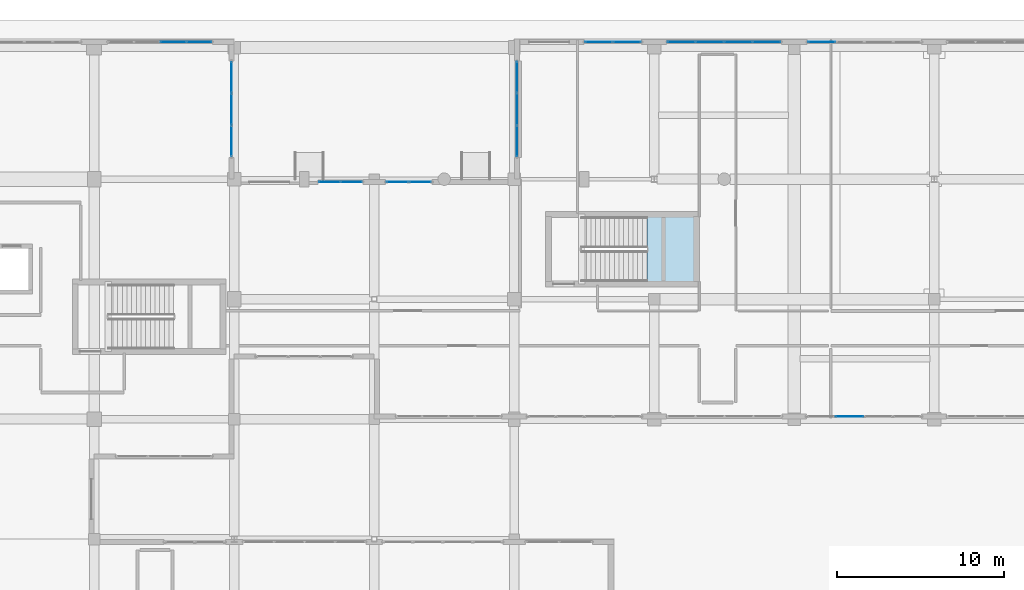
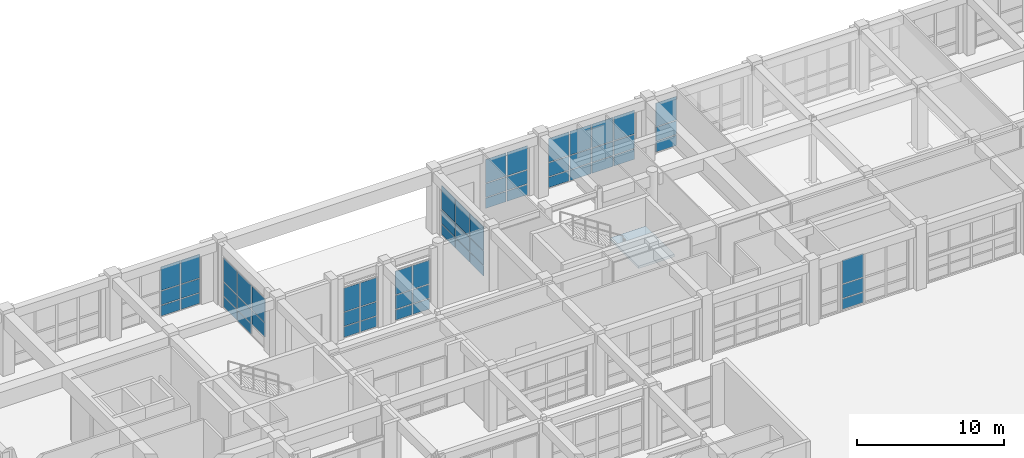
# One storey, part 121 of 148: 59 plates, 1 slab, 10 elements without a shape of their own.
"""IFC4 building model written with IfcOpenShell, lengths in metres."""

from ifc_helpers import new_model, si_unit, direction, frame, origin, origin_2d, place, context, subcontext, project, spatial, polyline, rectangle, outline, extrude, material, layer, layer_set, type_object, element, aggregate, save


model = new_model("IFC4")

# Units and contexts
model_context = context("Model", 3, precision=1e-05, world=origin(), true_north=direction((0.0, 1.0)))
body_context = subcontext(model_context, "Body", "Model", "MODEL_VIEW")
ifc_project = project(units=[si_unit("LENGTHUNIT", "METRE"), si_unit("AREAUNIT", "SQUARE_METRE"), si_unit("VOLUMEUNIT", "CUBIC_METRE"), si_unit("PLANEANGLEUNIT", "RADIAN"), si_unit("MASSUNIT", "GRAM", prefix="KILO")], contexts=[model_context])

# Site, building, storey
site_placement = place(None, origin())
site = spatial("IfcSite", under=ifc_project, at=site_placement, CompositionType="ELEMENT")
building_placement = place(site_placement, origin())
building = spatial("IfcBuilding", under=site, at=building_placement, Name="Quendrovan Civic Courthouse", CompositionType="ELEMENT")
storey_placement = place(building_placement, origin())
storey = spatial("IfcBuildingStorey", under=building, at=storey_placement, Name="L01", CompositionType="ELEMENT", Elevation=0.0)

# Curtain wall, plates
ifc_material_1 = material(Name="Bronze anodised aluminium and low-E glass", Category="aluminium")
ifc_layer_1 = layer(ifc_material_1, 0.179931640625, Name="Bronze anodised aluminium and low-E glass")
ifc_layer_set_1 = layer_set([ifc_layer_1], Name="Bronze anodised aluminium and low-E glass")
curtain_wall_type_1 = type_object("IfcCurtainWallType", Name="CW-U58x42", PredefinedType="USERDEFINED", material=ifc_layer_set_1)
curtain_wall_1_placement = place(storey_placement, origin())
curtain_wall_1 = element("IfcCurtainWall", 1, at=curtain_wall_1_placement, inside=storey, type_object=curtain_wall_type_1, Name="L01 Unitised Hurricane Curtain Wall CW-032", ObjectType="UNITISED CURTAIN WALL", PredefinedType="USERDEFINED")
ifc_material_2 = material(Name="Laminated hurricane-impact low-E glass", Category="glass")
ifc_layer_2 = layer(ifc_material_2, 0.028076171875, Name="Laminated hurricane-impact low-E glass")
ifc_layer_set_2 = layer_set([ifc_layer_2], Name="Laminated hurricane-impact low-E glass")
plate_type_1 = type_object("IfcPlateType", Name="CW-PNL-1", PredefinedType="CURTAIN_PANEL", material=ifc_layer_set_2)
plate_1_placement = place(storey_placement, frame((92.235107421875, 108.11572265625, 0.06982421875), z_axis=(0.0, 0.0, 1.0), x_axis=(0.0, -1.0, 0.0)))
plate_1 = element("IfcPlate", 2, at=plate_1_placement, type_object=plate_type_1, Name="CW-032 panel 1.1", PredefinedType="CURTAIN_PANEL", context=body_context, shape_type="SweptSolid", body=[
    extrude(rectangle(XDim=1.828369140625, YDim=0.028076171875, at=origin_2d()), origin(), (0.0, 0.0, 1.0), 0.844970703125),
])
plate_2_placement = place(storey_placement, frame((92.235107421875, 108.11572265625, 0.985107421875), z_axis=(0.0, 0.0, 1.0), x_axis=(0.0, -1.0, 0.0)))
plate_2 = element("IfcPlate", 3, at=plate_2_placement, type_object=plate_type_1, Name="CW-032 panel 1.2", PredefinedType="CURTAIN_PANEL", context=body_context, shape_type="SweptSolid", body=[
    extrude(rectangle(XDim=1.828369140625, YDim=0.028076171875, at=origin_2d()), origin(), (0.0, 0.0, 1.0), 1.1298828125),
])
plate_3_placement = place(storey_placement, frame((92.235107421875, 108.11572265625, 2.18505859375), z_axis=(0.0, 0.0, 1.0), x_axis=(0.0, -1.0, 0.0)))
plate_3 = element("IfcPlate", 4, at=plate_3_placement, type_object=plate_type_1, Name="CW-032 panel 1.3", PredefinedType="CURTAIN_PANEL", context=body_context, shape_type="SweptSolid", body=[
    extrude(rectangle(XDim=1.828369140625, YDim=0.028076171875, at=origin_2d()), origin(), (0.0, 0.0, 1.0), 1.945068359375),
])
plate_4_placement = place(storey_placement, frame((92.235107421875, 106.199951171875, 0.06982421875), z_axis=(0.0, 0.0, 1.0), x_axis=(0.0, -1.0, 0.0)))
plate_4 = element("IfcPlate", 5, at=plate_4_placement, type_object=plate_type_1, Name="CW-032 panel 2.1", PredefinedType="CURTAIN_PANEL", context=body_context, shape_type="SweptSolid", body=[
    extrude(rectangle(XDim=1.86328125, YDim=0.028076171875, at=origin_2d()), origin(), (0.0, 0.0, 1.0), 0.844970703125),
])
plate_5_placement = place(storey_placement, frame((92.235107421875, 106.199951171875, 0.985107421875), z_axis=(0.0, 0.0, 1.0), x_axis=(0.0, -1.0, 0.0)))
plate_5 = element("IfcPlate", 6, at=plate_5_placement, type_object=plate_type_1, Name="CW-032 panel 2.2", PredefinedType="CURTAIN_PANEL", context=body_context, shape_type="SweptSolid", body=[
    extrude(rectangle(XDim=1.86328125, YDim=0.028076171875, at=origin_2d()), origin(), (0.0, 0.0, 1.0), 1.1298828125),
])
plate_6_placement = place(storey_placement, frame((92.235107421875, 106.199951171875, 2.18505859375), z_axis=(0.0, 0.0, 1.0), x_axis=(0.0, -1.0, 0.0)))
plate_6 = element("IfcPlate", 7, at=plate_6_placement, type_object=plate_type_1, Name="CW-032 panel 2.3", PredefinedType="CURTAIN_PANEL", context=body_context, shape_type="SweptSolid", body=[
    extrude(rectangle(XDim=1.86328125, YDim=0.028076171875, at=origin_2d()), origin(), (0.0, 0.0, 1.0), 1.945068359375),
])
plate_7_placement = place(storey_placement, frame((92.235107421875, 104.2841796875, 0.985107421875), z_axis=(0.0, 0.0, 1.0), x_axis=(0.0, -1.0, 0.0)))
plate_7 = element("IfcPlate", 8, at=plate_7_placement, type_object=plate_type_1, Name="CW-032 panel 3.2", PredefinedType="CURTAIN_PANEL", context=body_context, shape_type="SweptSolid", body=[
    extrude(rectangle(XDim=1.828369140625, YDim=0.028076171875, at=origin_2d()), origin(), (0.0, 0.0, 1.0), 1.1298828125),
])
plate_8_placement = place(storey_placement, frame((92.235107421875, 104.2841796875, 2.18505859375), z_axis=(0.0, 0.0, 1.0), x_axis=(0.0, -1.0, 0.0)))
plate_8 = element("IfcPlate", 9, at=plate_8_placement, type_object=plate_type_1, Name="CW-032 panel 3.3", PredefinedType="CURTAIN_PANEL", context=body_context, shape_type="SweptSolid", body=[
    extrude(rectangle(XDim=1.828369140625, YDim=0.028076171875, at=origin_2d()), origin(), (0.0, 0.0, 1.0), 1.945068359375),
])
aggregate(curtain_wall_1, [plate_1, plate_2, plate_3, plate_4, plate_5, plate_6, plate_7, plate_8])

ifc_layer_3 = layer(ifc_material_1, 0.179931640625, Name="Bronze anodised aluminium and low-E glass")
ifc_layer_set_3 = layer_set([ifc_layer_3], Name="Bronze anodised aluminium and low-E glass")
curtain_wall_type_2 = type_object("IfcCurtainWallType", Name="CW-U34x42", PredefinedType="USERDEFINED", material=ifc_layer_set_3)
curtain_wall_2_placement = place(storey_placement, origin())
curtain_wall_2 = element("IfcCurtainWall", 10, at=curtain_wall_2_placement, inside=storey, type_object=curtain_wall_type_2, Name="L01 Unitised Hurricane Curtain Wall CW-036", ObjectType="UNITISED CURTAIN WALL", PredefinedType="USERDEFINED")
plate_9_placement = place(storey_placement, frame((114.280029296875, 110.235107421875, 0.06982421875), z_axis=(0.0, 0.0, 1.0), x_axis=(1.0, 0.0, 0.0)))
plate_9 = element("IfcPlate", 11, at=plate_9_placement, type_object=plate_type_1, Name="CW-036 panel 1.1", PredefinedType="CURTAIN_PANEL", context=body_context, shape_type="SweptSolid", body=[
    extrude(rectangle(XDim=1.6201171875, YDim=0.028076171875, at=origin_2d()), origin(), (0.0, 0.0, 1.0), 0.844970703125),
])
plate_10_placement = place(storey_placement, frame((114.280029296875, 110.235107421875, 0.985107421875), z_axis=(0.0, 0.0, 1.0), x_axis=(1.0, 0.0, 0.0)))
plate_10 = element("IfcPlate", 12, at=plate_10_placement, type_object=plate_type_1, Name="CW-036 panel 1.2", PredefinedType="CURTAIN_PANEL", context=body_context, shape_type="SweptSolid", body=[
    extrude(rectangle(XDim=1.6201171875, YDim=0.028076171875, at=origin_2d()), origin(), (0.0, 0.0, 1.0), 1.1298828125),
])
plate_11_placement = place(storey_placement, frame((114.280029296875, 110.235107421875, 2.18505859375), z_axis=(0.0, 0.0, 1.0), x_axis=(1.0, 0.0, 0.0)))
plate_11 = element("IfcPlate", 13, at=plate_11_placement, type_object=plate_type_1, Name="CW-036 panel 1.3", PredefinedType="CURTAIN_PANEL", context=body_context, shape_type="SweptSolid", body=[
    extrude(rectangle(XDim=1.6201171875, YDim=0.028076171875, at=origin_2d()), origin(), (0.0, 0.0, 1.0), 1.945068359375),
])
plate_12_placement = place(storey_placement, frame((115.969970703125, 110.235107421875, 0.06982421875), z_axis=(0.0, 0.0, 1.0), x_axis=(1.0, 0.0, 0.0)))
plate_12 = element("IfcPlate", 14, at=plate_12_placement, type_object=plate_type_1, Name="CW-036 panel 2.1", PredefinedType="CURTAIN_PANEL", context=body_context, shape_type="SweptSolid", body=[
    extrude(rectangle(XDim=1.6201171875, YDim=0.028076171875, at=origin_2d()), origin(), (0.0, 0.0, 1.0), 0.844970703125),
])
plate_13_placement = place(storey_placement, frame((115.969970703125, 110.235107421875, 0.985107421875), z_axis=(0.0, 0.0, 1.0), x_axis=(1.0, 0.0, 0.0)))
plate_13 = element("IfcPlate", 15, at=plate_13_placement, type_object=plate_type_1, Name="CW-036 panel 2.2", PredefinedType="CURTAIN_PANEL", context=body_context, shape_type="SweptSolid", body=[
    extrude(rectangle(XDim=1.6201171875, YDim=0.028076171875, at=origin_2d()), origin(), (0.0, 0.0, 1.0), 1.1298828125),
])
plate_14_placement = place(storey_placement, frame((115.969970703125, 110.235107421875, 2.18505859375), z_axis=(0.0, 0.0, 1.0), x_axis=(1.0, 0.0, 0.0)))
plate_14 = element("IfcPlate", 16, at=plate_14_placement, type_object=plate_type_1, Name="CW-036 panel 2.3", PredefinedType="CURTAIN_PANEL", context=body_context, shape_type="SweptSolid", body=[
    extrude(rectangle(XDim=1.6201171875, YDim=0.028076171875, at=origin_2d()), origin(), (0.0, 0.0, 1.0), 1.945068359375),
])
aggregate(curtain_wall_2, [plate_9, plate_10, plate_11, plate_12, plate_13, plate_14])

ifc_layer_4 = layer(ifc_material_1, 0.179931640625, Name="Bronze anodised aluminium and low-E glass")
ifc_layer_set_4 = layer_set([ifc_layer_4], Name="Bronze anodised aluminium and low-E glass")
curtain_wall_type_3 = type_object("IfcCurtainWallType", Name="CW-U27x42", PredefinedType="USERDEFINED", material=ifc_layer_set_4)
curtain_wall_3_placement = place(storey_placement, origin())
curtain_wall_3 = element("IfcCurtainWall", 17, at=curtain_wall_3_placement, inside=storey, type_object=curtain_wall_type_3, Name="L01 Unitised Hurricane Curtain Wall CW-033", ObjectType="UNITISED CURTAIN WALL", PredefinedType="USERDEFINED")
ifc_layer_5 = layer(ifc_material_2, 0.031982421875, Name="Laminated hurricane-impact low-E glass")
ifc_layer_set_5 = layer_set([ifc_layer_5], Name="Laminated hurricane-impact low-E glass")
plate_type_2 = type_object("IfcPlateType", Name="CW-PNL-2", PredefinedType="CURTAIN_PANEL", material=ifc_layer_set_5)
plate_15_placement = place(storey_placement, frame((98.1162109375, 101.8349609375, 0.06494140625), z_axis=(0.0, 0.0, 1.0), x_axis=(1.0, 0.0, 0.0)))
plate_15 = element("IfcPlate", 18, at=plate_15_placement, type_object=plate_type_2, Name="CW-033 panel 1.1", PredefinedType="CURTAIN_PANEL", context=body_context, shape_type="SweptSolid", body=[
    extrude(rectangle(XDim=1.25244140625, YDim=0.031982421875, at=origin_2d()), origin(), (0.0, 0.0, 1.0), 0.8525390625),
])
plate_16_placement = place(storey_placement, frame((98.1162109375, 101.8349609375, 0.982421875), z_axis=(0.0, 0.0, 1.0), x_axis=(1.0, 0.0, 0.0)))
plate_16 = element("IfcPlate", 19, at=plate_16_placement, type_object=plate_type_2, Name="CW-033 panel 1.2", PredefinedType="CURTAIN_PANEL", context=body_context, shape_type="SweptSolid", body=[
    extrude(rectangle(XDim=1.25244140625, YDim=0.031982421875, at=origin_2d()), origin(), (0.0, 0.0, 1.0), 1.135009765625),
])
plate_17_placement = place(storey_placement, frame((98.1162109375, 101.8349609375, 2.1826171875), z_axis=(0.0, 0.0, 1.0), x_axis=(1.0, 0.0, 0.0)))
plate_17 = element("IfcPlate", 20, at=plate_17_placement, type_object=plate_type_2, Name="CW-033 panel 1.3", PredefinedType="CURTAIN_PANEL", context=body_context, shape_type="SweptSolid", body=[
    extrude(rectangle(XDim=1.25244140625, YDim=0.031982421875, at=origin_2d()), origin(), (0.0, 0.0, 1.0), 1.952392578125),
])
plate_18_placement = place(storey_placement, frame((99.433837890625, 101.8349609375, 0.06494140625), z_axis=(0.0, 0.0, 1.0), x_axis=(1.0, 0.0, 0.0)))
plate_18 = element("IfcPlate", 21, at=plate_18_placement, type_object=plate_type_2, Name="CW-033 panel 2.1", PredefinedType="CURTAIN_PANEL", context=body_context, shape_type="SweptSolid", body=[
    extrude(rectangle(XDim=1.25244140625, YDim=0.031982421875, at=origin_2d()), origin(), (0.0, 0.0, 1.0), 0.8525390625),
])
plate_19_placement = place(storey_placement, frame((99.433837890625, 101.8349609375, 0.982421875), z_axis=(0.0, 0.0, 1.0), x_axis=(1.0, 0.0, 0.0)))
plate_19 = element("IfcPlate", 22, at=plate_19_placement, type_object=plate_type_2, Name="CW-033 panel 2.2", PredefinedType="CURTAIN_PANEL", context=body_context, shape_type="SweptSolid", body=[
    extrude(rectangle(XDim=1.25244140625, YDim=0.031982421875, at=origin_2d()), origin(), (0.0, 0.0, 1.0), 1.135009765625),
])
plate_20_placement = place(storey_placement, frame((99.433837890625, 101.8349609375, 2.1826171875), z_axis=(0.0, 0.0, 1.0), x_axis=(1.0, 0.0, 0.0)))
plate_20 = element("IfcPlate", 23, at=plate_20_placement, type_object=plate_type_2, Name="CW-033 panel 2.3", PredefinedType="CURTAIN_PANEL", context=body_context, shape_type="SweptSolid", body=[
    extrude(rectangle(XDim=1.25244140625, YDim=0.031982421875, at=origin_2d()), origin(), (0.0, 0.0, 1.0), 1.952392578125),
])
aggregate(curtain_wall_3, [plate_15, plate_16, plate_17, plate_18, plate_19, plate_20])

ifc_layer_6 = layer(ifc_material_1, 0.179931640625, Name="Bronze anodised aluminium and low-E glass")
ifc_layer_set_6 = layer_set([ifc_layer_6], Name="Bronze anodised aluminium and low-E glass")
curtain_wall_type_4 = type_object("IfcCurtainWallType", Name="CW-U69x42", PredefinedType="USERDEFINED", material=ifc_layer_set_6)
curtain_wall_4_placement = place(storey_placement, origin())
curtain_wall_4 = element("IfcCurtainWall", 24, at=curtain_wall_4_placement, inside=storey, type_object=curtain_wall_type_4, Name="L01 Unitised Hurricane Curtain Wall CW-037", ObjectType="UNITISED CURTAIN WALL", PredefinedType="USERDEFINED")
plate_21_placement = place(storey_placement, frame((119.2255859375, 110.235107421875, 0.06494140625), z_axis=(0.0, 0.0, 1.0), x_axis=(1.0, 0.0, 0.0)))
plate_21 = element("IfcPlate", 25, at=plate_21_placement, type_object=plate_type_2, Name="CW-037 panel 1.1", PredefinedType="CURTAIN_PANEL", context=body_context, shape_type="SweptSolid", body=[
    extrude(rectangle(XDim=1.621337890625, YDim=0.031982421875, at=origin_2d()), origin(), (0.0, 0.0, 1.0), 0.8525390625),
])
plate_22_placement = place(storey_placement, frame((119.2255859375, 110.235107421875, 0.982421875), z_axis=(0.0, 0.0, 1.0), x_axis=(1.0, 0.0, 0.0)))
plate_22 = element("IfcPlate", 26, at=plate_22_placement, type_object=plate_type_2, Name="CW-037 panel 1.2", PredefinedType="CURTAIN_PANEL", context=body_context, shape_type="SweptSolid", body=[
    extrude(rectangle(XDim=1.621337890625, YDim=0.031982421875, at=origin_2d()), origin(), (0.0, 0.0, 1.0), 1.135009765625),
])
plate_23_placement = place(storey_placement, frame((119.2255859375, 110.235107421875, 2.1826171875), z_axis=(0.0, 0.0, 1.0), x_axis=(1.0, 0.0, 0.0)))
plate_23 = element("IfcPlate", 27, at=plate_23_placement, type_object=plate_type_2, Name="CW-037 panel 1.3", PredefinedType="CURTAIN_PANEL", context=body_context, shape_type="SweptSolid", body=[
    extrude(rectangle(XDim=1.621337890625, YDim=0.031982421875, at=origin_2d()), origin(), (0.0, 0.0, 1.0), 1.952392578125),
])
plate_24_placement = place(storey_placement, frame((120.92822265625, 110.235107421875, 0.06494140625), z_axis=(0.0, 0.0, 1.0), x_axis=(1.0, 0.0, 0.0)))
plate_24 = element("IfcPlate", 28, at=plate_24_placement, type_object=plate_type_2, Name="CW-037 panel 2.1", PredefinedType="CURTAIN_PANEL", context=body_context, shape_type="SweptSolid", body=[
    extrude(rectangle(XDim=1.65380859375, YDim=0.031982421875, at=origin_2d()), origin(), (0.0, 0.0, 1.0), 0.8525390625),
])
plate_25_placement = place(storey_placement, frame((120.92822265625, 110.235107421875, 0.982421875), z_axis=(0.0, 0.0, 1.0), x_axis=(1.0, 0.0, 0.0)))
plate_25 = element("IfcPlate", 29, at=plate_25_placement, type_object=plate_type_2, Name="CW-037 panel 2.2", PredefinedType="CURTAIN_PANEL", context=body_context, shape_type="SweptSolid", body=[
    extrude(rectangle(XDim=1.65380859375, YDim=0.031982421875, at=origin_2d()), origin(), (0.0, 0.0, 1.0), 1.135009765625),
])
plate_26_placement = place(storey_placement, frame((120.92822265625, 110.235107421875, 2.1826171875), z_axis=(0.0, 0.0, 1.0), x_axis=(1.0, 0.0, 0.0)))
plate_26 = element("IfcPlate", 30, at=plate_26_placement, type_object=plate_type_2, Name="CW-037 panel 2.3", PredefinedType="CURTAIN_PANEL", context=body_context, shape_type="SweptSolid", body=[
    extrude(rectangle(XDim=1.65380859375, YDim=0.031982421875, at=origin_2d()), origin(), (0.0, 0.0, 1.0), 1.952392578125),
])
plate_27_placement = place(storey_placement, frame((122.64697265625, 110.235107421875, 0.06494140625), z_axis=(0.0, 0.0, 1.0), x_axis=(1.0, 0.0, 0.0)))
plate_27 = element("IfcPlate", 31, at=plate_27_placement, type_object=plate_type_2, Name="CW-037 panel 3.1", PredefinedType="CURTAIN_PANEL", context=body_context, shape_type="SweptSolid", body=[
    extrude(rectangle(XDim=1.65380859375, YDim=0.031982421875, at=origin_2d()), origin(), (0.0, 0.0, 1.0), 0.8525390625),
])
plate_28_placement = place(storey_placement, frame((122.64697265625, 110.235107421875, 0.982421875), z_axis=(0.0, 0.0, 1.0), x_axis=(1.0, 0.0, 0.0)))
plate_28 = element("IfcPlate", 32, at=plate_28_placement, type_object=plate_type_2, Name="CW-037 panel 3.2", PredefinedType="CURTAIN_PANEL", context=body_context, shape_type="SweptSolid", body=[
    extrude(rectangle(XDim=1.65380859375, YDim=0.031982421875, at=origin_2d()), origin(), (0.0, 0.0, 1.0), 1.135009765625),
])
plate_29_placement = place(storey_placement, frame((122.64697265625, 110.235107421875, 2.1826171875), z_axis=(0.0, 0.0, 1.0), x_axis=(1.0, 0.0, 0.0)))
plate_29 = element("IfcPlate", 33, at=plate_29_placement, type_object=plate_type_2, Name="CW-037 panel 3.3", PredefinedType="CURTAIN_PANEL", context=body_context, shape_type="SweptSolid", body=[
    extrude(rectangle(XDim=1.65380859375, YDim=0.031982421875, at=origin_2d()), origin(), (0.0, 0.0, 1.0), 1.952392578125),
])
plate_30_placement = place(storey_placement, frame((124.349365234375, 110.235107421875, 0.06494140625), z_axis=(0.0, 0.0, 1.0), x_axis=(1.0, 0.0, 0.0)))
plate_30 = element("IfcPlate", 34, at=plate_30_placement, type_object=plate_type_2, Name="CW-037 panel 4.1", PredefinedType="CURTAIN_PANEL", context=body_context, shape_type="SweptSolid", body=[
    extrude(rectangle(XDim=1.621337890625, YDim=0.031982421875, at=origin_2d()), origin(), (0.0, 0.0, 1.0), 0.8525390625),
])
plate_31_placement = place(storey_placement, frame((124.349365234375, 110.235107421875, 0.982421875), z_axis=(0.0, 0.0, 1.0), x_axis=(1.0, 0.0, 0.0)))
plate_31 = element("IfcPlate", 35, at=plate_31_placement, type_object=plate_type_2, Name="CW-037 panel 4.2", PredefinedType="CURTAIN_PANEL", context=body_context, shape_type="SweptSolid", body=[
    extrude(rectangle(XDim=1.621337890625, YDim=0.031982421875, at=origin_2d()), origin(), (0.0, 0.0, 1.0), 1.135009765625),
])
plate_32_placement = place(storey_placement, frame((124.349365234375, 110.235107421875, 2.1826171875), z_axis=(0.0, 0.0, 1.0), x_axis=(1.0, 0.0, 0.0)))
plate_32 = element("IfcPlate", 36, at=plate_32_placement, type_object=plate_type_2, Name="CW-037 panel 4.3", PredefinedType="CURTAIN_PANEL", context=body_context, shape_type="SweptSolid", body=[
    extrude(rectangle(XDim=1.621337890625, YDim=0.031982421875, at=origin_2d()), origin(), (0.0, 0.0, 1.0), 1.952392578125),
])
aggregate(curtain_wall_4, [plate_21, plate_22, plate_23, plate_24, plate_25, plate_26, plate_27, plate_28, plate_29, plate_30, plate_31, plate_32])

ifc_layer_7 = layer(ifc_material_1, 0.179931640625, Name="Bronze anodised aluminium and low-E glass")
ifc_layer_set_7 = layer_set([ifc_layer_7], Name="Bronze anodised aluminium and low-E glass")
curtain_wall_type_5 = type_object("IfcCurtainWallType", Name="CW-U28x42", PredefinedType="USERDEFINED", material=ifc_layer_set_7)
curtain_wall_5_placement = place(storey_placement, origin())
curtain_wall_5 = element("IfcCurtainWall", 37, at=curtain_wall_5_placement, inside=storey, type_object=curtain_wall_type_5, Name="L01 Unitised Hurricane Curtain Wall CW-034", ObjectType="UNITISED CURTAIN WALL", PredefinedType="USERDEFINED")
ifc_layer_8 = layer(ifc_material_2, 0.035888671875, Name="Laminated hurricane-impact low-E glass")
ifc_layer_set_8 = layer_set([ifc_layer_8], Name="Laminated hurricane-impact low-E glass")
plate_type_3 = type_object("IfcPlateType", Name="CW-PNL-3", PredefinedType="CURTAIN_PANEL", material=ifc_layer_set_8)
plate_33_placement = place(storey_placement, frame((102.1923828125, 101.8349609375, 0.06982421875), z_axis=(0.0, 0.0, 1.0), x_axis=(1.0, 0.0, 0.0)))
plate_33 = element("IfcPlate", 38, at=plate_33_placement, type_object=plate_type_3, Name="CW-034 panel 1.1", PredefinedType="CURTAIN_PANEL", context=body_context, shape_type="SweptSolid", body=[
    extrude(rectangle(XDim=1.294921875, YDim=0.035888671875, at=origin_2d()), origin(), (0.0, 0.0, 1.0), 0.844970703125),
])
plate_34_placement = place(storey_placement, frame((102.1923828125, 101.8349609375, 0.985107421875), z_axis=(0.0, 0.0, 1.0), x_axis=(1.0, 0.0, 0.0)))
plate_34 = element("IfcPlate", 39, at=plate_34_placement, type_object=plate_type_3, Name="CW-034 panel 1.2", PredefinedType="CURTAIN_PANEL", context=body_context, shape_type="SweptSolid", body=[
    extrude(rectangle(XDim=1.294921875, YDim=0.035888671875, at=origin_2d()), origin(), (0.0, 0.0, 1.0), 1.1298828125),
])
plate_35_placement = place(storey_placement, frame((102.1923828125, 101.8349609375, 2.18505859375), z_axis=(0.0, 0.0, 1.0), x_axis=(1.0, 0.0, 0.0)))
plate_35 = element("IfcPlate", 40, at=plate_35_placement, type_object=plate_type_3, Name="CW-034 panel 1.3", PredefinedType="CURTAIN_PANEL", context=body_context, shape_type="SweptSolid", body=[
    extrude(rectangle(XDim=1.294921875, YDim=0.035888671875, at=origin_2d()), origin(), (0.0, 0.0, 1.0), 1.945068359375),
])
plate_36_placement = place(storey_placement, frame((103.5576171875, 101.8349609375, 0.06982421875), z_axis=(0.0, 0.0, 1.0), x_axis=(1.0, 0.0, 0.0)))
plate_36 = element("IfcPlate", 41, at=plate_36_placement, type_object=plate_type_3, Name="CW-034 panel 2.1", PredefinedType="CURTAIN_PANEL", context=body_context, shape_type="SweptSolid", body=[
    extrude(rectangle(XDim=1.294921875, YDim=0.035888671875, at=origin_2d()), origin(), (0.0, 0.0, 1.0), 0.844970703125),
])
plate_37_placement = place(storey_placement, frame((103.5576171875, 101.8349609375, 0.985107421875), z_axis=(0.0, 0.0, 1.0), x_axis=(1.0, 0.0, 0.0)))
plate_37 = element("IfcPlate", 42, at=plate_37_placement, type_object=plate_type_3, Name="CW-034 panel 2.2", PredefinedType="CURTAIN_PANEL", context=body_context, shape_type="SweptSolid", body=[
    extrude(rectangle(XDim=1.294921875, YDim=0.035888671875, at=origin_2d()), origin(), (0.0, 0.0, 1.0), 1.1298828125),
])
plate_38_placement = place(storey_placement, frame((103.5576171875, 101.8349609375, 2.18505859375), z_axis=(0.0, 0.0, 1.0), x_axis=(1.0, 0.0, 0.0)))
plate_38 = element("IfcPlate", 43, at=plate_38_placement, type_object=plate_type_3, Name="CW-034 panel 2.3", PredefinedType="CURTAIN_PANEL", context=body_context, shape_type="SweptSolid", body=[
    extrude(rectangle(XDim=1.294921875, YDim=0.035888671875, at=origin_2d()), origin(), (0.0, 0.0, 1.0), 1.945068359375),
])
aggregate(curtain_wall_5, [plate_33, plate_34, plate_35, plate_36, plate_37, plate_38])

curtain_wall_6_placement = place(storey_placement, origin())
curtain_wall_6 = element("IfcCurtainWall", 44, at=curtain_wall_6_placement, inside=storey, type_object=curtain_wall_type_4, Name="L01 Unitised Hurricane Curtain Wall CW-038", ObjectType="UNITISED CURTAIN WALL", PredefinedType="USERDEFINED")
plate_39_placement = place(storey_placement, frame((127.65185546875, 110.235107421875, 0.06982421875), z_axis=(0.0, 0.0, 1.0), x_axis=(1.0, 0.0, 0.0)))
plate_39 = element("IfcPlate", 45, at=plate_39_placement, type_object=plate_type_3, Name="CW-038 panel 1.1", PredefinedType="CURTAIN_PANEL", context=body_context, shape_type="SweptSolid", body=[
    extrude(rectangle(XDim=1.61376953125, YDim=0.035888671875, at=origin_2d()), origin(), (0.0, 0.0, 1.0), 0.844970703125),
])
plate_40_placement = place(storey_placement, frame((127.65185546875, 110.235107421875, 0.985107421875), z_axis=(0.0, 0.0, 1.0), x_axis=(1.0, 0.0, 0.0)))
plate_40 = element("IfcPlate", 46, at=plate_40_placement, type_object=plate_type_3, Name="CW-038 panel 1.2", PredefinedType="CURTAIN_PANEL", context=body_context, shape_type="SweptSolid", body=[
    extrude(rectangle(XDim=1.61376953125, YDim=0.035888671875, at=origin_2d()), origin(), (0.0, 0.0, 1.0), 1.1298828125),
])
plate_41_placement = place(storey_placement, frame((127.65185546875, 110.235107421875, 2.18505859375), z_axis=(0.0, 0.0, 1.0), x_axis=(1.0, 0.0, 0.0)))
plate_41 = element("IfcPlate", 47, at=plate_41_placement, type_object=plate_type_3, Name="CW-038 panel 1.3", PredefinedType="CURTAIN_PANEL", context=body_context, shape_type="SweptSolid", body=[
    extrude(rectangle(XDim=1.61376953125, YDim=0.035888671875, at=origin_2d()), origin(), (0.0, 0.0, 1.0), 1.945068359375),
])
aggregate(curtain_wall_6, [plate_39, plate_40, plate_41])

curtain_wall_7_placement = place(storey_placement, origin())
curtain_wall_7 = element("IfcCurtainWall", 48, at=curtain_wall_7_placement, inside=storey, type_object=curtain_wall_type_4, Name="L01 Unitised Hurricane Curtain Wall CW-046", ObjectType="UNITISED CURTAIN WALL", PredefinedType="USERDEFINED")
plate_42_placement = place(storey_placement, frame((129.32177734375, 87.764892578125, 0.06982421875), z_axis=(0.0, 0.0, 1.0), x_axis=(-1.0, 0.0, 0.0)))
plate_42 = element("IfcPlate", 49, at=plate_42_placement, type_object=plate_type_3, Name="CW-046 panel 3.1", PredefinedType="CURTAIN_PANEL", context=body_context, shape_type="SweptSolid", body=[
    extrude(rectangle(XDim=1.6611328125, YDim=0.035888671875, at=origin_2d()), origin(), (0.0, 0.0, 1.0), 0.844970703125),
])
plate_43_placement = place(storey_placement, frame((129.32177734375, 87.764892578125, 0.985107421875), z_axis=(0.0, 0.0, 1.0), x_axis=(-1.0, 0.0, 0.0)))
plate_43 = element("IfcPlate", 50, at=plate_43_placement, type_object=plate_type_3, Name="CW-046 panel 3.2", PredefinedType="CURTAIN_PANEL", context=body_context, shape_type="SweptSolid", body=[
    extrude(rectangle(XDim=1.6611328125, YDim=0.035888671875, at=origin_2d()), origin(), (0.0, 0.0, 1.0), 1.1298828125),
])
plate_44_placement = place(storey_placement, frame((129.32177734375, 87.764892578125, 2.18505859375), z_axis=(0.0, 0.0, 1.0), x_axis=(-1.0, 0.0, 0.0)))
plate_44 = element("IfcPlate", 51, at=plate_44_placement, type_object=plate_type_3, Name="CW-046 panel 3.3", PredefinedType="CURTAIN_PANEL", context=body_context, shape_type="SweptSolid", body=[
    extrude(rectangle(XDim=1.6611328125, YDim=0.035888671875, at=origin_2d()), origin(), (0.0, 0.0, 1.0), 1.945068359375),
])
aggregate(curtain_wall_7, [plate_42, plate_43, plate_44])

ifc_layer_9 = layer(ifc_material_1, 0.179931640625, Name="Bronze anodised aluminium and low-E glass")
ifc_layer_set_9 = layer_set([ifc_layer_9], Name="Bronze anodised aluminium and low-E glass")
curtain_wall_type_6 = type_object("IfcCurtainWallType", Name="CW-U63x42", PredefinedType="USERDEFINED", material=ifc_layer_set_9)
curtain_wall_8_placement = place(storey_placement, origin())
curtain_wall_8 = element("IfcCurtainWall", 52, at=curtain_wall_8_placement, inside=storey, type_object=curtain_wall_type_6, Name="L01 Unitised Hurricane Curtain Wall CW-031", ObjectType="UNITISED CURTAIN WALL", PredefinedType="USERDEFINED")
ifc_layer_10 = layer(ifc_material_2, 0.0419921875, Name="Laminated hurricane-impact low-E glass")
ifc_layer_set_10 = layer_set([ifc_layer_10], Name="Laminated hurricane-impact low-E glass")
plate_type_4 = type_object("IfcPlateType", Name="CW-PNL-4", PredefinedType="CURTAIN_PANEL", material=ifc_layer_set_10)
plate_45_placement = place(storey_placement, frame((88.737548828125, 110.235107421875, 0.06494140625), z_axis=(0.0, 0.0, 1.0), x_axis=(1.0, 0.0, 0.0)))
plate_45 = element("IfcPlate", 53, at=plate_45_placement, type_object=plate_type_4, Name="CW-031 panel 3.1", PredefinedType="CURTAIN_PANEL", context=body_context, shape_type="SweptSolid", body=[
    extrude(rectangle(XDim=1.510009765625, YDim=0.0419921875, at=origin_2d()), origin(), (0.0, 0.0, 1.0), 0.8525390625),
])
plate_46_placement = place(storey_placement, frame((88.737548828125, 110.235107421875, 0.982421875), z_axis=(0.0, 0.0, 1.0), x_axis=(1.0, 0.0, 0.0)))
plate_46 = element("IfcPlate", 54, at=plate_46_placement, type_object=plate_type_4, Name="CW-031 panel 3.2", PredefinedType="CURTAIN_PANEL", context=body_context, shape_type="SweptSolid", body=[
    extrude(rectangle(XDim=1.510009765625, YDim=0.0419921875, at=origin_2d()), origin(), (0.0, 0.0, 1.0), 1.135009765625),
])
plate_47_placement = place(storey_placement, frame((88.737548828125, 110.235107421875, 2.1826171875), z_axis=(0.0, 0.0, 1.0), x_axis=(1.0, 0.0, 0.0)))
plate_47 = element("IfcPlate", 55, at=plate_47_placement, type_object=plate_type_4, Name="CW-031 panel 3.3", PredefinedType="CURTAIN_PANEL", context=body_context, shape_type="SweptSolid", body=[
    extrude(rectangle(XDim=1.510009765625, YDim=0.0419921875, at=origin_2d()), origin(), (0.0, 0.0, 1.0), 1.952392578125),
])
plate_48_placement = place(storey_placement, frame((90.296142578125, 110.235107421875, 0.06494140625), z_axis=(0.0, 0.0, 1.0), x_axis=(1.0, 0.0, 0.0)))
plate_48 = element("IfcPlate", 56, at=plate_48_placement, type_object=plate_type_4, Name="CW-031 panel 4.1", PredefinedType="CURTAIN_PANEL", context=body_context, shape_type="SweptSolid", body=[
    extrude(rectangle(XDim=1.4775390625, YDim=0.0419921875, at=origin_2d()), origin(), (0.0, 0.0, 1.0), 0.8525390625),
])
plate_49_placement = place(storey_placement, frame((90.296142578125, 110.235107421875, 0.982421875), z_axis=(0.0, 0.0, 1.0), x_axis=(1.0, 0.0, 0.0)))
plate_49 = element("IfcPlate", 57, at=plate_49_placement, type_object=plate_type_4, Name="CW-031 panel 4.2", PredefinedType="CURTAIN_PANEL", context=body_context, shape_type="SweptSolid", body=[
    extrude(rectangle(XDim=1.4775390625, YDim=0.0419921875, at=origin_2d()), origin(), (0.0, 0.0, 1.0), 1.135009765625),
])
plate_50_placement = place(storey_placement, frame((90.296142578125, 110.235107421875, 2.1826171875), z_axis=(0.0, 0.0, 1.0), x_axis=(1.0, 0.0, 0.0)))
plate_50 = element("IfcPlate", 58, at=plate_50_placement, type_object=plate_type_4, Name="CW-031 panel 4.3", PredefinedType="CURTAIN_PANEL", context=body_context, shape_type="SweptSolid", body=[
    extrude(rectangle(XDim=1.4775390625, YDim=0.0419921875, at=origin_2d()), origin(), (0.0, 0.0, 1.0), 1.952392578125),
])
aggregate(curtain_wall_8, [plate_45, plate_46, plate_47, plate_48, plate_49, plate_50])

curtain_wall_9_placement = place(storey_placement, origin())
curtain_wall_9 = element("IfcCurtainWall", 59, at=curtain_wall_9_placement, inside=storey, type_object=curtain_wall_type_1, Name="L01 Unitised Hurricane Curtain Wall CW-035", ObjectType="UNITISED CURTAIN WALL", PredefinedType="USERDEFINED")
plate_51_placement = place(storey_placement, frame((109.364990234375, 104.282958984375, 0.06494140625), z_axis=(0.0, 0.0, 1.0), x_axis=(0.0, 1.0, 0.0)))
plate_51 = element("IfcPlate", 60, at=plate_51_placement, type_object=plate_type_4, Name="CW-035 panel 1.1", PredefinedType="CURTAIN_PANEL", context=body_context, shape_type="SweptSolid", body=[
    extrude(rectangle(XDim=1.8359375, YDim=0.0419921875, at=origin_2d()), origin(), (0.0, 0.0, 1.0), 0.8525390625),
])
plate_52_placement = place(storey_placement, frame((109.364990234375, 104.282958984375, 0.982421875), z_axis=(0.0, 0.0, 1.0), x_axis=(0.0, 1.0, 0.0)))
plate_52 = element("IfcPlate", 61, at=plate_52_placement, type_object=plate_type_4, Name="CW-035 panel 1.2", PredefinedType="CURTAIN_PANEL", context=body_context, shape_type="SweptSolid", body=[
    extrude(rectangle(XDim=1.8359375, YDim=0.0419921875, at=origin_2d()), origin(), (0.0, 0.0, 1.0), 1.135009765625),
])
plate_53_placement = place(storey_placement, frame((109.364990234375, 104.282958984375, 2.1826171875), z_axis=(0.0, 0.0, 1.0), x_axis=(0.0, 1.0, 0.0)))
plate_53 = element("IfcPlate", 62, at=plate_53_placement, type_object=plate_type_4, Name="CW-035 panel 1.3", PredefinedType="CURTAIN_PANEL", context=body_context, shape_type="SweptSolid", body=[
    extrude(rectangle(XDim=1.8359375, YDim=0.0419921875, at=origin_2d()), origin(), (0.0, 0.0, 1.0), 1.952392578125),
])
plate_54_placement = place(storey_placement, frame((109.364990234375, 106.199951171875, 0.06494140625), z_axis=(0.0, 0.0, 1.0), x_axis=(0.0, 1.0, 0.0)))
plate_54 = element("IfcPlate", 63, at=plate_54_placement, type_object=plate_type_4, Name="CW-035 panel 2.1", PredefinedType="CURTAIN_PANEL", context=body_context, shape_type="SweptSolid", body=[
    extrude(rectangle(XDim=1.868408203125, YDim=0.0419921875, at=origin_2d()), origin(), (0.0, 0.0, 1.0), 0.8525390625),
])
plate_55_placement = place(storey_placement, frame((109.364990234375, 106.199951171875, 0.982421875), z_axis=(0.0, 0.0, 1.0), x_axis=(0.0, 1.0, 0.0)))
plate_55 = element("IfcPlate", 64, at=plate_55_placement, type_object=plate_type_4, Name="CW-035 panel 2.2", PredefinedType="CURTAIN_PANEL", context=body_context, shape_type="SweptSolid", body=[
    extrude(rectangle(XDim=1.868408203125, YDim=0.0419921875, at=origin_2d()), origin(), (0.0, 0.0, 1.0), 1.135009765625),
])
plate_56_placement = place(storey_placement, frame((109.364990234375, 106.199951171875, 2.1826171875), z_axis=(0.0, 0.0, 1.0), x_axis=(0.0, 1.0, 0.0)))
plate_56 = element("IfcPlate", 65, at=plate_56_placement, type_object=plate_type_4, Name="CW-035 panel 2.3", PredefinedType="CURTAIN_PANEL", context=body_context, shape_type="SweptSolid", body=[
    extrude(rectangle(XDim=1.868408203125, YDim=0.0419921875, at=origin_2d()), origin(), (0.0, 0.0, 1.0), 1.952392578125),
])
plate_57_placement = place(storey_placement, frame((109.364990234375, 108.1171875, 0.06494140625), z_axis=(0.0, 0.0, 1.0), x_axis=(0.0, 1.0, 0.0)))
plate_57 = element("IfcPlate", 66, at=plate_57_placement, type_object=plate_type_4, Name="CW-035 panel 3.1", PredefinedType="CURTAIN_PANEL", context=body_context, shape_type="SweptSolid", body=[
    extrude(rectangle(XDim=1.8359375, YDim=0.0419921875, at=origin_2d()), origin(), (0.0, 0.0, 1.0), 0.8525390625),
])
plate_58_placement = place(storey_placement, frame((109.364990234375, 108.1171875, 0.982421875), z_axis=(0.0, 0.0, 1.0), x_axis=(0.0, 1.0, 0.0)))
plate_58 = element("IfcPlate", 67, at=plate_58_placement, type_object=plate_type_4, Name="CW-035 panel 3.2", PredefinedType="CURTAIN_PANEL", context=body_context, shape_type="SweptSolid", body=[
    extrude(rectangle(XDim=1.8359375, YDim=0.0419921875, at=origin_2d()), origin(), (0.0, 0.0, 1.0), 1.135009765625),
])
plate_59_placement = place(storey_placement, frame((109.364990234375, 108.1171875, 2.1826171875), z_axis=(0.0, 0.0, 1.0), x_axis=(0.0, 1.0, 0.0)))
plate_59 = element("IfcPlate", 68, at=plate_59_placement, type_object=plate_type_4, Name="CW-035 panel 3.3", PredefinedType="CURTAIN_PANEL", context=body_context, shape_type="SweptSolid", body=[
    extrude(rectangle(XDim=1.8359375, YDim=0.0419921875, at=origin_2d()), origin(), (0.0, 0.0, 1.0), 1.952392578125),
])
aggregate(curtain_wall_9, [plate_51, plate_52, plate_53, plate_54, plate_55, plate_56, plate_57, plate_58, plate_59])

# Stair, slab
ifc_material_3 = material(Name="Concrete C40/50", Category="concrete")
stair_type = type_object("IfcStairType", Name="STR-CORE-5400", PredefinedType="HALF_TURN_STAIR", material=ifc_material_3)
stair_placement = place(storey_placement, origin())
stair = element("IfcStair", 69, at=stair_placement, inside=storey, type_object=stair_type, Name="L01 Ceremonial Pavilion Exit Stair 6", PredefinedType="HALF_TURN_STAIR")
ifc_layer_11 = layer(ifc_material_3, 0.199951171875, Name="Concrete C40/50")
ifc_layer_set_11 = layer_set([ifc_layer_11], Name="Concrete C40/50")
slab_type = type_object("IfcSlabType", Name="SLB-STAIR-LND200", PredefinedType="LANDING", material=ifc_layer_set_11)
slab_placement = place(storey_placement, frame((0.0, 0.0, 2.5)))
slab = element("IfcSlab", 70, at=slab_placement, type_object=slab_type, Name="ST6 landing 1", PredefinedType="LANDING", context=body_context, shape_type="SweptSolid", body=[
    extrude(outline(polyline([(117.169921875, 95.85009765625), (120.0, 95.85009765625), (120.0, 99.72998046875), (117.169921875, 99.72998046875), (117.169921875, 95.85009765625)])), origin(), (0.0, 0.0, 1.0), 0.199951171875),
])
aggregate(stair, [slab])

save(model, "model.ifc")
